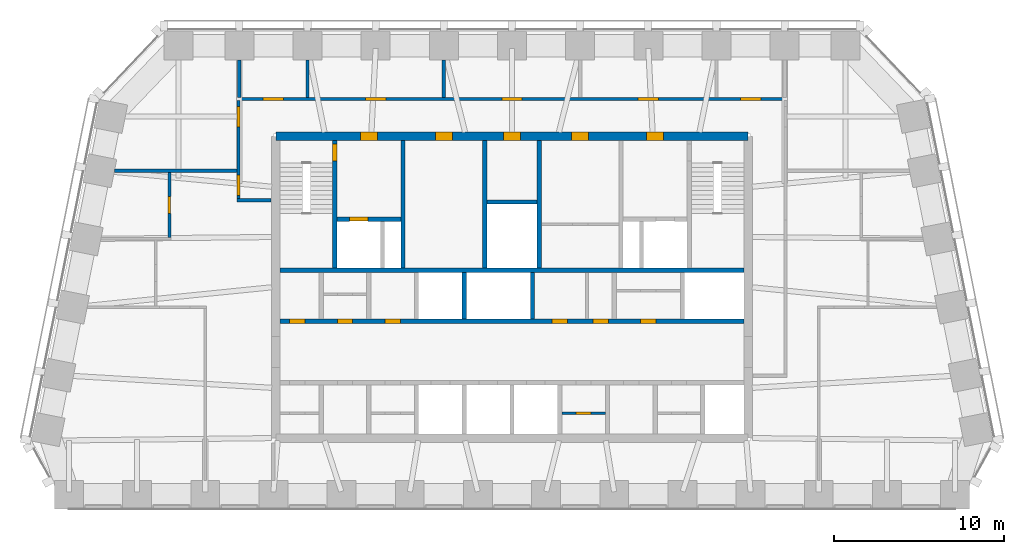
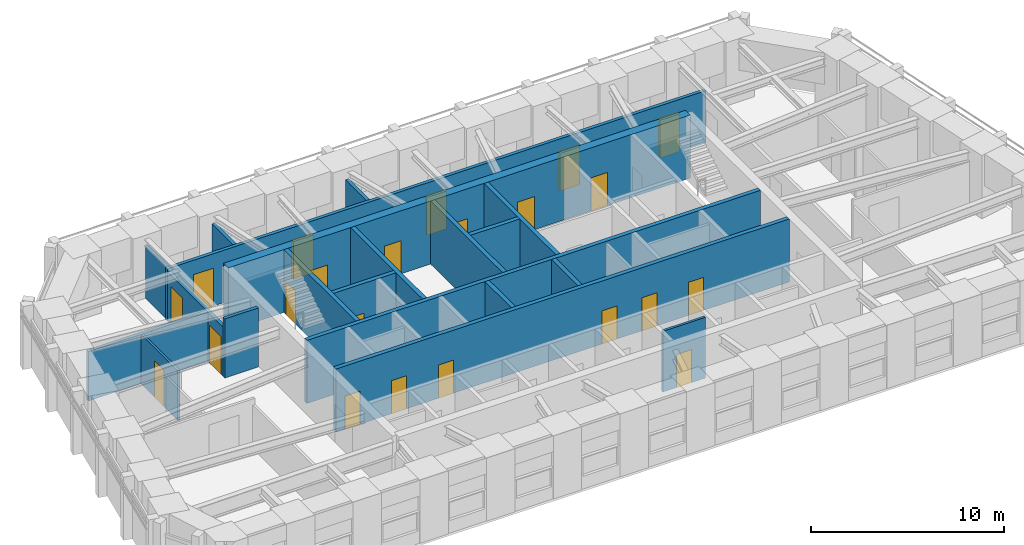
# One storey, part 5 of 8: 22 doors, 20 walls, 22 openings.
"""IFC4 building model written with IfcOpenShell, lengths in metres."""

from ifc_helpers import new_model, si_unit, direction, frame, frame_2d, origin, place, context, subcontext, project, spatial, rectangle, extrude, material, layer, layer_set, type_object, element, fill, save


model = new_model("IFC4")

# Units and contexts
model_context = context("Model", 3, precision=1e-05, world=origin(), true_north=direction((0.0, 1.0)))
body_context = subcontext(model_context, "Body", "Model", "MODEL_VIEW")
ifc_project = project(units=[si_unit("LENGTHUNIT", "METRE"), si_unit("AREAUNIT", "SQUARE_METRE"), si_unit("VOLUMEUNIT", "CUBIC_METRE"), si_unit("PLANEANGLEUNIT", "RADIAN"), si_unit("MASSUNIT", "GRAM", prefix="KILO")], contexts=[model_context])

# Site, building, storey
site_placement = place(None, origin())
site = spatial("IfcSite", under=ifc_project, at=site_placement, CompositionType="ELEMENT")
building_placement = place(site_placement, origin())
building = spatial("IfcBuilding", under=site, at=building_placement, Name="Isbrekke Arena Tower", CompositionType="ELEMENT")
storey_placement = place(building_placement, frame((0.0, 0.0, 320.0)))
storey = spatial("IfcBuildingStorey", under=building, at=storey_placement, Name="L75", CompositionType="ELEMENT", Elevation=320.0)

# Wall, openings, doors
ifc_material_1 = material(Name="Concrete B55 (C55/67)", Category="concrete")
ifc_layer_1 = layer(ifc_material_1, 0.5)
ifc_layer_set_1 = layer_set([ifc_layer_1], Name="CW5 CORE WALL 500")
wall_type_1 = type_object("IfcWallType", Name="CW5 CORE WALL 500", PredefinedType="SHEAR", material=ifc_layer_set_1)
wall_1_placement = place(storey_placement, frame((13.85009765625, 23.85009765625, 0.0), z_axis=(0.0, 0.0, 1.0), x_axis=(-1.0, 0.0, 0.0)))
wall_1 = element("IfcWall", 1, at=wall_1_placement, inside=storey, type_object=wall_type_1, Name="Core wall N L75", PredefinedType="SHEAR", context=body_context, shape_type="SweptSolid", body=[
    extrude(rectangle(XDim=27.7001953125, YDim=0.5, at=frame_2d((13.85009765625, 0.0))), origin(), (0.0, 0.0, 1.0), 4.0),
])
opening_1_placement = place(wall_1_placement, frame((21.75, 0.0, 0.0)))
opening_1 = element("IfcOpeningElement", 2, at=opening_1_placement, cuts=wall_1, Name="Opening D3", PredefinedType="OPENING", context=body_context, shape_type="SweptSolid", body=[
    extrude(rectangle(XDim=1.0, YDim=2.10009765625, at=frame_2d((0.5, 1.050048828125))), frame((0.0, 0.264892578125, 0.0), z_axis=(0.0, -1.0, 0.0), x_axis=(1.0, 0.0, 0.0)), (0.0, 0.0, 1.0), 0.52978515625),
])
opening_2_placement = place(wall_1_placement, frame((4.949951171875, 0.0, 0.0)))
opening_2 = element("IfcOpeningElement", 3, at=opening_2_placement, cuts=wall_1, Name="Opening D3", PredefinedType="OPENING", context=body_context, shape_type="SweptSolid", body=[
    extrude(rectangle(XDim=1.0, YDim=2.10009765625, at=frame_2d((0.5, 1.050048828125))), frame((0.0, 0.264892578125, 0.0), z_axis=(0.0, -1.0, 0.0), x_axis=(1.0, 0.0, 0.0)), (0.0, 0.0, 1.0), 0.52978515625),
])
opening_3_placement = place(wall_1_placement, frame((17.35009765625, 0.0, 0.0)))
opening_3 = element("IfcOpeningElement", 4, at=opening_3_placement, cuts=wall_1, Name="Opening D4", PredefinedType="OPENING", context=body_context, shape_type="SweptSolid", body=[
    extrude(rectangle(XDim=1.0, YDim=2.10009765625, at=frame_2d((0.5, 1.050048828125))), frame((0.0, 0.264892578125, 0.0), z_axis=(0.0, -1.0, 0.0), x_axis=(1.0, 0.0, 0.0)), (0.0, 0.0, 1.0), 0.52978515625),
])
opening_4_placement = place(wall_1_placement, frame((13.35009765625, 0.0, 0.0)))
opening_4 = element("IfcOpeningElement", 5, at=opening_4_placement, cuts=wall_1, Name="Opening D4", PredefinedType="OPENING", context=body_context, shape_type="SweptSolid", body=[
    extrude(rectangle(XDim=1.0, YDim=2.10009765625, at=frame_2d((0.5, 1.050048828125))), frame((0.0, 0.264892578125, 0.0), z_axis=(0.0, -1.0, 0.0), x_axis=(1.0, 0.0, 0.0)), (0.0, 0.0, 1.0), 0.52978515625),
])
opening_5_placement = place(wall_1_placement, frame((9.35009765625, 0.0, 0.0)))
opening_5 = element("IfcOpeningElement", 6, at=opening_5_placement, cuts=wall_1, Name="Opening D4", PredefinedType="OPENING", context=body_context, shape_type="SweptSolid", body=[
    extrude(rectangle(XDim=1.0, YDim=2.10009765625, at=frame_2d((0.5, 1.050048828125))), frame((0.0, 0.264892578125, 0.0), z_axis=(0.0, -1.0, 0.0), x_axis=(1.0, 0.0, 0.0)), (0.0, 0.0, 1.0), 0.52978515625),
])
ifc_material_2 = material(Name="Steel fire door", Category="steel")
door_type_1 = type_object("IfcDoorType", Name="D3 FIRE LOBBY DOOR 1000 x 2100", OperationType="SINGLE_SWING_RIGHT", PredefinedType="DOOR", material=ifc_material_2)
door_1_placement = place(opening_1_placement, origin())
door_1 = element("IfcDoor", 7, at=door_1_placement, inside=storey, type_object=door_type_1, Name="D3 fire-fighting lobby door L75", OperationType="SINGLE_SWING_RIGHT", OverallHeight=2.10009765625, OverallWidth=1.0, PredefinedType="DOOR", context=body_context, shape_type="SweptSolid", body=[
    extrude(rectangle(XDim=1.0, YDim=2.10009765625, at=frame_2d((0.5, 1.050048828125))), frame((0.0, 0.249755859375, 0.0), z_axis=(0.0, -1.0, 0.0), x_axis=(1.0, 0.0, 0.0)), (0.0, 0.0, 1.0), 0.49951171875),
])
fill(opening_1, door_1)
door_2_placement = place(opening_2_placement, origin())
door_2 = element("IfcDoor", 8, at=door_2_placement, inside=storey, type_object=door_type_1, Name="D3 fire-fighting lobby door L75", OperationType="SINGLE_SWING_RIGHT", OverallHeight=2.10009765625, OverallWidth=1.0, PredefinedType="DOOR", context=body_context, shape_type="SweptSolid", body=[
    extrude(rectangle(XDim=1.0, YDim=2.10009765625, at=frame_2d((0.5, 1.050048828125))), frame((0.0, 0.249755859375, 0.0), z_axis=(0.0, -1.0, 0.0), x_axis=(1.0, 0.0, 0.0)), (0.0, 0.0, 1.0), 0.49951171875),
])
fill(opening_2, door_2)
ifc_material_3 = material(Name="Timber door", Category="wood")
door_type_2 = type_object("IfcDoorType", Name="D4 WC DOOR 1000 x 2100", OperationType="SINGLE_SWING_LEFT", PredefinedType="DOOR", material=ifc_material_3)
door_3_placement = place(opening_3_placement, origin())
door_3 = element("IfcDoor", 9, at=door_3_placement, inside=storey, type_object=door_type_2, Name="D4 wc female door L75", OperationType="SINGLE_SWING_LEFT", OverallHeight=2.10009765625, OverallWidth=1.0, PredefinedType="DOOR", context=body_context, shape_type="SweptSolid", body=[
    extrude(rectangle(XDim=1.0, YDim=2.10009765625, at=frame_2d((0.5, 1.050048828125))), frame((0.0, 0.249755859375, 0.0), z_axis=(0.0, -1.0, 0.0), x_axis=(1.0, 0.0, 0.0)), (0.0, 0.0, 1.0), 0.49951171875),
])
fill(opening_3, door_3)
door_4_placement = place(opening_4_placement, origin())
door_4 = element("IfcDoor", 10, at=door_4_placement, inside=storey, type_object=door_type_2, Name="D4 accessible wc door L75", OperationType="SINGLE_SWING_LEFT", OverallHeight=2.10009765625, OverallWidth=1.0, PredefinedType="DOOR", context=body_context, shape_type="SweptSolid", body=[
    extrude(rectangle(XDim=1.0, YDim=2.10009765625, at=frame_2d((0.5, 1.050048828125))), frame((0.0, 0.249755859375, 0.0), z_axis=(0.0, -1.0, 0.0), x_axis=(1.0, 0.0, 0.0)), (0.0, 0.0, 1.0), 0.49951171875),
])
fill(opening_4, door_4)
door_5_placement = place(opening_5_placement, origin())
door_5 = element("IfcDoor", 11, at=door_5_placement, inside=storey, type_object=door_type_2, Name="D4 wc male door L75", OperationType="SINGLE_SWING_LEFT", OverallHeight=2.10009765625, OverallWidth=1.0, PredefinedType="DOOR", context=body_context, shape_type="SweptSolid", body=[
    extrude(rectangle(XDim=1.0, YDim=2.10009765625, at=frame_2d((0.5, 1.050048828125))), frame((0.0, 0.249755859375, 0.0), z_axis=(0.0, -1.0, 0.0), x_axis=(1.0, 0.0, 0.0)), (0.0, 0.0, 1.0), 0.49951171875),
])
fill(opening_5, door_5)

ifc_material_4 = material(Name="Concrete B45 (C45/55)", Category="concrete")
ifc_layer_2 = layer(ifc_material_4, 0.25)
ifc_layer_set_2 = layer_set([ifc_layer_2], Name="CW6 SHAFT WALL 250")
wall_type_2 = type_object("IfcWallType", Name="CW6 SHAFT WALL 250", PredefinedType="SHEAR", material=ifc_layer_set_2)
wall_2_placement = place(storey_placement, frame((-13.60009765625, 13.0, 0.0), z_axis=(0.0, 0.0, 1.0), x_axis=(1.0, 0.0, 0.0)))
wall_2 = element("IfcWall", 12, at=wall_2_placement, inside=storey, type_object=wall_type_2, Name="Core wall LN L75", PredefinedType="SHEAR", context=body_context, shape_type="SweptSolid", body=[
    extrude(rectangle(XDim=27.2001953125, YDim=0.25, at=frame_2d((13.60009765625, 0.0))), origin(), (0.0, 0.0, 1.0), 4.0),
])
opening_6_placement = place(wall_2_placement, frame((15.949951171875, 0.0, 0.0)))
opening_6 = element("IfcOpeningElement", 13, at=opening_6_placement, cuts=wall_2, Name="Opening D5", PredefinedType="OPENING", context=body_context, shape_type="SweptSolid", body=[
    extrude(rectangle(XDim=0.89990234375, YDim=2.10009765625, at=frame_2d((0.449951171875, 1.050048828125))), frame((0.0, 0.139892578125, 0.0), z_axis=(0.0, -1.0, 0.0), x_axis=(1.0, 0.0, 0.0)), (0.0, 0.0, 1.0), 0.27978515625),
])
opening_7_placement = place(wall_2_placement, frame((18.35009765625, 0.0, 0.0)))
opening_7 = element("IfcOpeningElement", 14, at=opening_7_placement, cuts=wall_2, Name="Opening D5", PredefinedType="OPENING", context=body_context, shape_type="SweptSolid", body=[
    extrude(rectangle(XDim=0.89990234375, YDim=2.10009765625, at=frame_2d((0.449951171875, 1.050048828125))), frame((0.0, 0.139892578125, 0.0), z_axis=(0.0, -1.0, 0.0), x_axis=(1.0, 0.0, 0.0)), (0.0, 0.0, 1.0), 0.27978515625),
])
opening_8_placement = place(wall_2_placement, frame((21.14990234375, 0.0, 0.0)))
opening_8 = element("IfcOpeningElement", 15, at=opening_8_placement, cuts=wall_2, Name="Opening D5", PredefinedType="OPENING", context=body_context, shape_type="SweptSolid", body=[
    extrude(rectangle(XDim=0.89990234375, YDim=2.10009765625, at=frame_2d((0.449951171875, 1.050048828125))), frame((0.0, 0.139892578125, 0.0), z_axis=(0.0, -1.0, 0.0), x_axis=(1.0, 0.0, 0.0)), (0.0, 0.0, 1.0), 0.27978515625),
])
opening_9_placement = place(wall_2_placement, frame((0.550048828125, 0.0, 0.0)))
opening_9 = element("IfcOpeningElement", 16, at=opening_9_placement, cuts=wall_2, Name="Opening D5", PredefinedType="OPENING", context=body_context, shape_type="SweptSolid", body=[
    extrude(rectangle(XDim=0.89990234375, YDim=2.10009765625, at=frame_2d((0.449951171875, 1.050048828125))), frame((0.0, 0.139892578125, 0.0), z_axis=(0.0, -1.0, 0.0), x_axis=(1.0, 0.0, 0.0)), (0.0, 0.0, 1.0), 0.27978515625),
])
opening_10_placement = place(wall_2_placement, frame((3.35009765625, 0.0, 0.0)))
opening_10 = element("IfcOpeningElement", 17, at=opening_10_placement, cuts=wall_2, Name="Opening D5", PredefinedType="OPENING", context=body_context, shape_type="SweptSolid", body=[
    extrude(rectangle(XDim=0.89990234375, YDim=2.10009765625, at=frame_2d((0.449951171875, 1.050048828125))), frame((0.0, 0.139892578125, 0.0), z_axis=(0.0, -1.0, 0.0), x_axis=(1.0, 0.0, 0.0)), (0.0, 0.0, 1.0), 0.27978515625),
])
opening_11_placement = place(wall_2_placement, frame((6.14990234375, 0.0, 0.0)))
opening_11 = element("IfcOpeningElement", 18, at=opening_11_placement, cuts=wall_2, Name="Opening D5", PredefinedType="OPENING", context=body_context, shape_type="SweptSolid", body=[
    extrude(rectangle(XDim=0.89990234375, YDim=2.10009765625, at=frame_2d((0.449951171875, 1.050048828125))), frame((0.0, 0.139892578125, 0.0), z_axis=(0.0, -1.0, 0.0), x_axis=(1.0, 0.0, 0.0)), (0.0, 0.0, 1.0), 0.27978515625),
])
ifc_material_5 = material(Name="Steel fire door", Category="steel")
door_type_3 = type_object("IfcDoorType", Name="D5 SERVICE DOOR 900 x 2100", OperationType="SINGLE_SWING_LEFT", PredefinedType="DOOR", material=ifc_material_5)
door_6_placement = place(opening_6_placement, origin())
door_6 = element("IfcDoor", 19, at=door_6_placement, inside=storey, type_object=door_type_3, Name="D5 first-aid room door L75", OperationType="SINGLE_SWING_LEFT", OverallHeight=2.10009765625, OverallWidth=0.89990234375, PredefinedType="DOOR", context=body_context, shape_type="SweptSolid", body=[
    extrude(rectangle(XDim=0.89990234375, YDim=2.10009765625, at=frame_2d((0.449951171875, 1.050048828125))), frame((0.0, 0.124755859375, 0.0), z_axis=(0.0, -1.0, 0.0), x_axis=(1.0, 0.0, 0.0)), (0.0, 0.0, 1.0), 0.24951171875),
])
fill(opening_6, door_6)
door_7_placement = place(opening_7_placement, origin())
door_7 = element("IfcDoor", 20, at=door_7_placement, inside=storey, type_object=door_type_3, Name="D5 cleaner's store door L75", OperationType="SINGLE_SWING_LEFT", OverallHeight=2.10009765625, OverallWidth=0.89990234375, PredefinedType="DOOR", context=body_context, shape_type="SweptSolid", body=[
    extrude(rectangle(XDim=0.89990234375, YDim=2.10009765625, at=frame_2d((0.449951171875, 1.050048828125))), frame((0.0, 0.124755859375, 0.0), z_axis=(0.0, -1.0, 0.0), x_axis=(1.0, 0.0, 0.0)), (0.0, 0.0, 1.0), 0.24951171875),
])
fill(opening_7, door_7)
door_8_placement = place(opening_8_placement, origin())
door_8 = element("IfcDoor", 21, at=door_8_placement, inside=storey, type_object=door_type_3, Name="D5 communications room door L75", OperationType="SINGLE_SWING_LEFT", OverallHeight=2.10009765625, OverallWidth=0.89990234375, PredefinedType="DOOR", context=body_context, shape_type="SweptSolid", body=[
    extrude(rectangle(XDim=0.89990234375, YDim=2.10009765625, at=frame_2d((0.449951171875, 1.050048828125))), frame((0.0, 0.124755859375, 0.0), z_axis=(0.0, -1.0, 0.0), x_axis=(1.0, 0.0, 0.0)), (0.0, 0.0, 1.0), 0.24951171875),
])
fill(opening_8, door_8)
door_9_placement = place(opening_9_placement, origin())
door_9 = element("IfcDoor", 22, at=door_9_placement, inside=storey, type_object=door_type_3, Name="D5 archive door L75", OperationType="SINGLE_SWING_LEFT", OverallHeight=2.10009765625, OverallWidth=0.89990234375, PredefinedType="DOOR", context=body_context, shape_type="SweptSolid", body=[
    extrude(rectangle(XDim=0.89990234375, YDim=2.10009765625, at=frame_2d((0.449951171875, 1.050048828125))), frame((0.0, 0.124755859375, 0.0), z_axis=(0.0, -1.0, 0.0), x_axis=(1.0, 0.0, 0.0)), (0.0, 0.0, 1.0), 0.24951171875),
])
fill(opening_9, door_9)
door_10_placement = place(opening_10_placement, origin())
door_10 = element("IfcDoor", 23, at=door_10_placement, inside=storey, type_object=door_type_3, Name="D5 print room door L75", OperationType="SINGLE_SWING_LEFT", OverallHeight=2.10009765625, OverallWidth=0.89990234375, PredefinedType="DOOR", context=body_context, shape_type="SweptSolid", body=[
    extrude(rectangle(XDim=0.89990234375, YDim=2.10009765625, at=frame_2d((0.449951171875, 1.050048828125))), frame((0.0, 0.124755859375, 0.0), z_axis=(0.0, -1.0, 0.0), x_axis=(1.0, 0.0, 0.0)), (0.0, 0.0, 1.0), 0.24951171875),
])
fill(opening_10, door_10)
door_11_placement = place(opening_11_placement, origin())
door_11 = element("IfcDoor", 24, at=door_11_placement, inside=storey, type_object=door_type_3, Name="D5 technical room door L75", OperationType="SINGLE_SWING_LEFT", OverallHeight=2.10009765625, OverallWidth=0.89990234375, PredefinedType="DOOR", context=body_context, shape_type="SweptSolid", body=[
    extrude(rectangle(XDim=0.89990234375, YDim=2.10009765625, at=frame_2d((0.449951171875, 1.050048828125))), frame((0.0, 0.124755859375, 0.0), z_axis=(0.0, -1.0, 0.0), x_axis=(1.0, 0.0, 0.0)), (0.0, 0.0, 1.0), 0.24951171875),
])
fill(opening_11, door_11)

# Walls
wall_3_placement = place(storey_placement, frame((-13.60009765625, 16.0, 0.0), z_axis=(0.0, 0.0, 1.0), x_axis=(1.0, 0.0, 0.0)))
element("IfcWall", 25, at=wall_3_placement, inside=storey, type_object=wall_type_2, Name="Core wall NB L75", PredefinedType="SHEAR", context=body_context, shape_type="SweptSolid", body=[
    extrude(rectangle(XDim=27.2001953125, YDim=0.25, at=frame_2d((13.60009765625, 0.0))), origin(), (0.0, 0.0, 1.0), 4.0),
])
for number, where, z_axis, x_axis, name in (
    (26, (-2.800048828125, 13.125, 0.0), (0.0, 0.0, 1.0), (0.0, 1.0, 0.0), "Core wall SN04 L75"),
    (27, (1.199951171875, 13.125, 0.0), (0.0, 0.0, 1.0), (0.0, 1.0, 0.0), "Core wall SN05 L75"),
):
    element("IfcWall", number, at=place(storey_placement, frame(where, z_axis=z_axis, x_axis=x_axis)), inside=storey, type_object=wall_type_2, Name=name, PredefinedType="SHEAR", context=body_context, shape_type="SweptSolid", body=[
        extrude(rectangle(XDim=2.75, YDim=0.25, at=frame_2d((1.375, 0.0))), origin(), (0.0, 0.0, 1.0), 4.0),
    ])

# Wall, opening, door
wall_4_placement = place(storey_placement, frame((-10.39990234375, 16.125, 0.0), z_axis=(0.0, 0.0, 1.0), x_axis=(0.0, 1.0, 0.0)))
wall_4 = element("IfcWall", 28, at=wall_4_placement, inside=storey, type_object=wall_type_2, Name="Core wall NV01 L75", PredefinedType="SHEAR", context=body_context, shape_type="SweptSolid", body=[
    extrude(rectangle(XDim=7.47509765625, YDim=0.25, at=frame_2d((3.737548828125, 0.0))), origin(), (0.0, 0.0, 1.0), 4.0),
])
opening_12_placement = place(wall_4_placement, frame((6.27490234375, 0.0, 0.0)))
opening_12 = element("IfcOpeningElement", 29, at=opening_12_placement, cuts=wall_4, Name="Opening D2", PredefinedType="OPENING", context=body_context, shape_type="SweptSolid", body=[
    extrude(rectangle(XDim=1.0, YDim=2.10009765625, at=frame_2d((0.5, 1.050048828125))), frame((0.0, 0.139892578125, 0.0), z_axis=(0.0, -1.0, 0.0), x_axis=(1.0, 0.0, 0.0)), (0.0, 0.0, 1.0), 0.27978515625),
])
ifc_material_6 = material(Name="Steel fire door", Category="steel")
door_type_4 = type_object("IfcDoorType", Name="D2 STAIR DOOR 1000 x 2100", OperationType="SINGLE_SWING_LEFT", PredefinedType="DOOR", material=ifc_material_6)
door_12_placement = place(opening_12_placement, origin())
door_12 = element("IfcDoor", 30, at=door_12_placement, inside=storey, type_object=door_type_4, Name="D2 stair door ST1 L75", OperationType="SINGLE_SWING_LEFT", OverallHeight=2.10009765625, OverallWidth=1.0, PredefinedType="DOOR", context=body_context, shape_type="SweptSolid", body=[
    extrude(rectangle(XDim=1.0, YDim=2.10009765625, at=frame_2d((0.5, 1.050048828125))), frame((0.0, 0.124755859375, 0.0), z_axis=(0.0, -1.0, 0.0), x_axis=(1.0, 0.0, 0.0)), (0.0, 0.0, 1.0), 0.24951171875),
])
fill(opening_12, door_12)

# Walls
for number, where, z_axis, x_axis, name in (
    (31, (-6.39990234375, 16.125, 0.0), (0.0, 0.0, 1.0), (0.0, 1.0, 0.0), "Core wall NV02 L75"),
    (32, (-1.60009765625, 16.125, 0.0), (0.0, 0.0, 1.0), (0.0, 1.0, 0.0), "Core wall NV03 L75"),
    (33, (1.60009765625, 16.125, 0.0), (0.0, 0.0, 1.0), (0.0, 1.0, 0.0), "Core wall NV04 L75"),
):
    element("IfcWall", number, at=place(storey_placement, frame(where, z_axis=z_axis, x_axis=x_axis)), inside=storey, type_object=wall_type_2, Name=name, PredefinedType="SHEAR", context=body_context, shape_type="SweptSolid", body=[
        extrude(rectangle(XDim=7.47509765625, YDim=0.25, at=frame_2d((3.737548828125, 0.0))), origin(), (0.0, 0.0, 1.0), 4.0),
    ])

# Wall, opening, door
wall_5_placement = place(storey_placement, frame((-10.27490234375, 19.0, 0.0), z_axis=(0.0, 0.0, 1.0), x_axis=(1.0, 0.0, 0.0)))
wall_5 = element("IfcWall", 34, at=wall_5_placement, inside=storey, type_object=wall_type_2, Name="Core wall NFW L75", PredefinedType="SHEAR", context=body_context, shape_type="SweptSolid", body=[
    extrude(rectangle(XDim=3.75, YDim=0.25, at=frame_2d((1.875, 0.0))), origin(), (0.0, 0.0, 1.0), 4.0),
])
opening_13_placement = place(wall_5_placement, frame((0.72509765625, 0.0, 0.0)))
opening_13 = element("IfcOpeningElement", 35, at=opening_13_placement, cuts=wall_5, Name="Opening LD2", PredefinedType="OPENING", context=body_context, shape_type="SweptSolid", body=[
    extrude(rectangle(XDim=1.10009765625, YDim=2.10009765625, at=frame_2d((0.550048828125, 1.050048828125))), frame((0.0, 0.139892578125, 0.0), z_axis=(0.0, -1.0, 0.0), x_axis=(1.0, 0.0, 0.0)), (0.0, 0.0, 1.0), 0.27978515625),
])
ifc_material_7 = material(Name="Stainless steel lift landing door", Category="steel")
door_type_5 = type_object("IfcDoorType", Name="LD2 FIRE-FIGHTING LIFT LANDING DOOR 1100 x 2100", OperationType="SLIDING_TO_RIGHT", PredefinedType="DOOR", material=ifc_material_7)
door_13_placement = place(opening_13_placement, origin())
door_13 = element("IfcDoor", 36, at=door_13_placement, inside=storey, type_object=door_type_5, Name="LD2 lift landing door LF L75", OperationType="SLIDING_TO_RIGHT", OverallHeight=2.10009765625, OverallWidth=1.10009765625, PredefinedType="DOOR", context=body_context, shape_type="SweptSolid", body=[
    extrude(rectangle(XDim=1.10009765625, YDim=2.10009765625, at=frame_2d((0.550048828125, 1.050048828125))), frame((0.0, 0.124755859375, 0.0), z_axis=(0.0, -1.0, 0.0), x_axis=(1.0, 0.0, 0.0)), (0.0, 0.0, 1.0), 0.24951171875),
])
fill(opening_13, door_13)

# Wall
wall_6_placement = place(storey_placement, frame((-1.47509765625, 20.0, 0.0), z_axis=(0.0, 0.0, 1.0), x_axis=(1.0, 0.0, 0.0)))
element("IfcWall", 37, at=wall_6_placement, inside=storey, type_object=wall_type_2, Name="Core wall NWC L75", PredefinedType="SHEAR", context=body_context, shape_type="SweptSolid", body=[
    extrude(rectangle(XDim=2.9501953125, YDim=0.25, at=frame_2d((1.47509765625, 0.0))), origin(), (0.0, 0.0, 1.0), 4.0),
])

# Wall, opening, door
ifc_material_8 = material(Name="Gypsum board partition on steel studs", Category="steel")
ifc_layer_3 = layer(ifc_material_8, 0.14990234375)
ifc_layer_set_3 = layer_set([ifc_layer_3], Name="IW1 PARTITION 150")
wall_type_3 = type_object("IfcWallType", Name="IW1 PARTITION 150", PredefinedType="PARTITIONING", material=ifc_layer_set_3)
wall_7_placement = place(storey_placement, frame((-20.10009765625, 17.9150390625, 0.0), z_axis=(0.0, 0.0, 1.0), x_axis=(0.0, 1.0, 0.0)))
wall_7 = element("IfcWall", 38, at=wall_7_placement, inside=storey, type_object=wall_type_3, Name="IW1 partition 150 L75", PredefinedType="PARTITIONING", context=body_context, shape_type="SweptSolid", body=[
    extrude(rectangle(XDim=3.824951171875, YDim=0.14990234375, at=frame_2d((1.91259765625, 0.0))), origin(), (0.0, 0.0, 1.0), 3.1298828125),
])
opening_14_placement = place(wall_7_placement, frame((1.425048828125, 0.0, 0.0)))
opening_14 = element("IfcOpeningElement", 39, at=opening_14_placement, cuts=wall_7, Name="Opening D10", PredefinedType="OPENING", context=body_context, shape_type="SweptSolid", body=[
    extrude(rectangle(XDim=1.0, YDim=2.300048828125, at=frame_2d((0.5, 1.14990234375))), frame((0.0, 0.08984375, 0.0), z_axis=(0.0, -1.0, 0.0), x_axis=(1.0, 0.0, 0.0)), (0.0, 0.0, 1.0), 0.1796875),
])
ifc_material_9 = material(Name="Timber door", Category="wood")
door_type_6 = type_object("IfcDoorType", Name="D10 OFFICE DOOR 1000 x 2300", OperationType="SINGLE_SWING_LEFT", PredefinedType="DOOR", material=ifc_material_9)
door_14_placement = place(opening_14_placement, origin())
door_14 = element("IfcDoor", 40, at=door_14_placement, inside=storey, type_object=door_type_6, Name="D10 catering kitchen door L75", OperationType="SINGLE_SWING_LEFT", OverallHeight=2.300048828125, OverallWidth=1.0, PredefinedType="DOOR", context=body_context, shape_type="SweptSolid", body=[
    extrude(rectangle(XDim=1.0, YDim=2.300048828125, at=frame_2d((0.5, 1.14990234375))), frame((0.0, 0.07470703125, 0.0), z_axis=(0.0, -1.0, 0.0), x_axis=(1.0, 0.0, 0.0)), (0.0, 0.0, 1.0), 0.1494140625),
])
fill(opening_14, door_14)

# Walls
ifc_material_10 = material(Name="Gypsum board fire-cell wall on steel studs, two layers each side", Category="steel")
ifc_layer_4 = layer(ifc_material_10, 0.199951171875)
ifc_layer_set_4 = layer_set([ifc_layer_4], Name="IW3 FIRE-CELL WALL 200")
wall_type_4 = type_object("IfcWallType", Name="IW3 FIRE-CELL WALL 200", PredefinedType="PARTITIONING", material=ifc_layer_set_4)
wall_8_placement = place(storey_placement, frame((-16.14990234375, 20.10009765625, 0.0), z_axis=(0.0, 0.0, 1.0), x_axis=(1.0, 0.0, 0.0)))
element("IfcWall", 41, at=wall_8_placement, inside=storey, type_object=wall_type_4, Name="IW3 fire-cell wall 200 L75", PredefinedType="PARTITIONING", context=body_context, shape_type="SweptSolid", body=[
    extrude(rectangle(XDim=2.02001953125, YDim=0.199951171875, at=frame_2d((1.010009765625, 0.0))), origin(), (0.0, 0.0, 1.0), 3.75),
])
wall_9_placement = place(storey_placement, frame((-23.32373046875, 21.840087890625, 0.0), z_axis=(0.0, 0.0, 1.0), x_axis=(1.0, 0.0, 0.0)))
element("IfcWall", 42, at=wall_9_placement, inside=storey, type_object=wall_type_4, Name="IW3 fire-cell wall 200 L75", PredefinedType="PARTITIONING", context=body_context, shape_type="SweptSolid", body=[
    extrude(rectangle(XDim=7.173828125, YDim=0.199951171875, at=frame_2d((3.5869140625, 0.0))), origin(), (0.0, 0.0, 1.0), 3.1298828125),
])

# Wall, openings, doors
wall_10_placement = place(storey_placement, frame((-16.14990234375, 26.050048828125, 0.0), z_axis=(0.0, 0.0, 1.0), x_axis=(1.0, 0.0, 0.0)))
wall_10 = element("IfcWall", 43, at=wall_10_placement, inside=storey, type_object=wall_type_4, Name="IW3 fire-cell wall 200 L75", PredefinedType="PARTITIONING", context=body_context, shape_type="SweptSolid", body=[
    extrude(rectangle(XDim=32.2998046875, YDim=0.199951171875, at=frame_2d((16.14990234375, 0.0))), origin(), (0.0, 0.0, 1.0), 3.318115234375),
])
opening_15_placement = place(wall_10_placement, frame((1.550048828125, 0.0, 0.0)))
opening_15 = element("IfcOpeningElement", 44, at=opening_15_placement, cuts=wall_10, Name="Opening D12", PredefinedType="OPENING", context=body_context, shape_type="SweptSolid", body=[
    extrude(rectangle(XDim=1.199951171875, YDim=2.39990234375, at=frame_2d((0.60009765625, 1.199951171875))), frame((0.0, 0.11474609375, 0.0), z_axis=(0.0, -1.0, 0.0), x_axis=(1.0, 0.0, 0.0)), (0.0, 0.0, 1.0), 0.229736328125),
])
opening_16_placement = place(wall_10_placement, frame((7.550048828125, 0.0, 0.0)))
opening_16 = element("IfcOpeningElement", 45, at=opening_16_placement, cuts=wall_10, Name="Opening D12", PredefinedType="OPENING", context=body_context, shape_type="SweptSolid", body=[
    extrude(rectangle(XDim=1.199951171875, YDim=2.39990234375, at=frame_2d((0.60009765625, 1.199951171875))), frame((0.0, 0.11474609375, 0.0), z_axis=(0.0, -1.0, 0.0), x_axis=(1.0, 0.0, 0.0)), (0.0, 0.0, 1.0), 0.229736328125),
])
opening_17_placement = place(wall_10_placement, frame((15.550048828125, 0.0, 0.0)))
opening_17 = element("IfcOpeningElement", 46, at=opening_17_placement, cuts=wall_10, Name="Opening D12", PredefinedType="OPENING", context=body_context, shape_type="SweptSolid", body=[
    extrude(rectangle(XDim=1.199951171875, YDim=2.39990234375, at=frame_2d((0.60009765625, 1.199951171875))), frame((0.0, 0.11474609375, 0.0), z_axis=(0.0, -1.0, 0.0), x_axis=(1.0, 0.0, 0.0)), (0.0, 0.0, 1.0), 0.229736328125),
])
opening_18_placement = place(wall_10_placement, frame((23.550048828125, 0.0, 0.0)))
opening_18 = element("IfcOpeningElement", 47, at=opening_18_placement, cuts=wall_10, Name="Opening D12", PredefinedType="OPENING", context=body_context, shape_type="SweptSolid", body=[
    extrude(rectangle(XDim=1.199951171875, YDim=2.39990234375, at=frame_2d((0.60009765625, 1.199951171875))), frame((0.0, 0.11474609375, 0.0), z_axis=(0.0, -1.0, 0.0), x_axis=(1.0, 0.0, 0.0)), (0.0, 0.0, 1.0), 0.229736328125),
])
opening_19_placement = place(wall_10_placement, frame((29.550048828125, 0.0, 0.0)))
opening_19 = element("IfcOpeningElement", 48, at=opening_19_placement, cuts=wall_10, Name="Opening D12", PredefinedType="OPENING", context=body_context, shape_type="SweptSolid", body=[
    extrude(rectangle(XDim=1.199951171875, YDim=2.39990234375, at=frame_2d((0.60009765625, 1.199951171875))), frame((0.0, 0.11474609375, 0.0), z_axis=(0.0, -1.0, 0.0), x_axis=(1.0, 0.0, 0.0)), (0.0, 0.0, 1.0), 0.229736328125),
])
ifc_material_11 = material(Name="Timber fire door with vision panel", Category="wood")
door_type_7 = type_object("IfcDoorType", Name="D12 SUITE ENTRANCE DOOR 1200 x 2400", OperationType="SINGLE_SWING_LEFT", PredefinedType="DOOR", material=ifc_material_11)
door_15_placement = place(opening_15_placement, origin())
door_15 = element("IfcDoor", 49, at=door_15_placement, inside=storey, type_object=door_type_7, Name="D12 suite entrance NB1 door L75", OperationType="SINGLE_SWING_LEFT", OverallHeight=2.39990234375, OverallWidth=1.199951171875, PredefinedType="DOOR", context=body_context, shape_type="SweptSolid", body=[
    extrude(rectangle(XDim=1.199951171875, YDim=2.39990234375, at=frame_2d((0.60009765625, 1.199951171875))), frame((0.0, 0.099609375, 0.0), z_axis=(0.0, -1.0, 0.0), x_axis=(1.0, 0.0, 0.0)), (0.0, 0.0, 1.0), 0.199462890625),
])
fill(opening_15, door_15)
door_16_placement = place(opening_16_placement, origin())
door_16 = element("IfcDoor", 50, at=door_16_placement, inside=storey, type_object=door_type_7, Name="D12 suite entrance NB2 door L75", OperationType="SINGLE_SWING_LEFT", OverallHeight=2.39990234375, OverallWidth=1.199951171875, PredefinedType="DOOR", context=body_context, shape_type="SweptSolid", body=[
    extrude(rectangle(XDim=1.199951171875, YDim=2.39990234375, at=frame_2d((0.60009765625, 1.199951171875))), frame((0.0, 0.099609375, 0.0), z_axis=(0.0, -1.0, 0.0), x_axis=(1.0, 0.0, 0.0)), (0.0, 0.0, 1.0), 0.199462890625),
])
fill(opening_16, door_16)
door_17_placement = place(opening_17_placement, origin())
door_17 = element("IfcDoor", 51, at=door_17_placement, inside=storey, type_object=door_type_7, Name="D12 suite entrance NB3 door L75", OperationType="SINGLE_SWING_LEFT", OverallHeight=2.39990234375, OverallWidth=1.199951171875, PredefinedType="DOOR", context=body_context, shape_type="SweptSolid", body=[
    extrude(rectangle(XDim=1.199951171875, YDim=2.39990234375, at=frame_2d((0.60009765625, 1.199951171875))), frame((0.0, 0.099609375, 0.0), z_axis=(0.0, -1.0, 0.0), x_axis=(1.0, 0.0, 0.0)), (0.0, 0.0, 1.0), 0.199462890625),
])
fill(opening_17, door_17)
door_18_placement = place(opening_18_placement, origin())
door_18 = element("IfcDoor", 52, at=door_18_placement, inside=storey, type_object=door_type_7, Name="D12 suite entrance NB4 door L75", OperationType="SINGLE_SWING_LEFT", OverallHeight=2.39990234375, OverallWidth=1.199951171875, PredefinedType="DOOR", context=body_context, shape_type="SweptSolid", body=[
    extrude(rectangle(XDim=1.199951171875, YDim=2.39990234375, at=frame_2d((0.60009765625, 1.199951171875))), frame((0.0, 0.099609375, 0.0), z_axis=(0.0, -1.0, 0.0), x_axis=(1.0, 0.0, 0.0)), (0.0, 0.0, 1.0), 0.199462890625),
])
fill(opening_18, door_18)
door_19_placement = place(opening_19_placement, origin())
door_19 = element("IfcDoor", 53, at=door_19_placement, inside=storey, type_object=door_type_7, Name="D12 suite entrance NB5 door L75", OperationType="SINGLE_SWING_LEFT", OverallHeight=2.39990234375, OverallWidth=1.199951171875, PredefinedType="DOOR", context=body_context, shape_type="SweptSolid", body=[
    extrude(rectangle(XDim=1.199951171875, YDim=2.39990234375, at=frame_2d((0.60009765625, 1.199951171875))), frame((0.0, 0.099609375, 0.0), z_axis=(0.0, -1.0, 0.0), x_axis=(1.0, 0.0, 0.0)), (0.0, 0.0, 1.0), 0.199462890625),
])
fill(opening_19, door_19)

wall_11_placement = place(storey_placement, frame((-16.050048828125, 20.199951171875, 0.0), z_axis=(0.0, 0.0, 1.0), x_axis=(0.0, 1.0, 0.0)))
wall_11 = element("IfcWall", 54, at=wall_11_placement, inside=storey, type_object=wall_type_4, Name="IW3 fire-cell wall 200 L75", PredefinedType="PARTITIONING", context=body_context, shape_type="SweptSolid", body=[
    extrude(rectangle(XDim=5.75, YDim=0.199951171875, at=frame_2d((2.875, 0.0))), origin(), (0.0, 0.0, 1.0), 3.1298828125),
])
opening_20_placement = place(wall_11_placement, frame((4.199951171875, 0.0, 0.0)))
opening_20 = element("IfcOpeningElement", 55, at=opening_20_placement, cuts=wall_11, Name="Opening D12", PredefinedType="OPENING", context=body_context, shape_type="SweptSolid", body=[
    extrude(rectangle(XDim=1.199951171875, YDim=2.39990234375, at=frame_2d((0.60009765625, 1.199951171875))), frame((0.0, 0.11474609375, 0.0), z_axis=(0.0, -1.0, 0.0), x_axis=(1.0, 0.0, 0.0)), (0.0, 0.0, 1.0), 0.229736328125),
])
opening_21_placement = place(wall_11_placement, frame((0.199951171875, 0.0, 0.0)))
opening_21 = element("IfcOpeningElement", 56, at=opening_21_placement, cuts=wall_11, Name="Opening D12", PredefinedType="OPENING", context=body_context, shape_type="SweptSolid", body=[
    extrude(rectangle(XDim=1.199951171875, YDim=2.39990234375, at=frame_2d((0.60009765625, 1.199951171875))), frame((0.0, 0.11474609375, 0.0), z_axis=(0.0, -1.0, 0.0), x_axis=(1.0, 0.0, 0.0)), (0.0, 0.0, 1.0), 0.229736328125),
])
door_20_placement = place(opening_20_placement, origin())
door_20 = element("IfcDoor", 57, at=door_20_placement, inside=storey, type_object=door_type_7, Name="D12 suite entrance NCW door L75", OperationType="SINGLE_SWING_LEFT", OverallHeight=2.39990234375, OverallWidth=1.199951171875, PredefinedType="DOOR", context=body_context, shape_type="SweptSolid", body=[
    extrude(rectangle(XDim=1.199951171875, YDim=2.39990234375, at=frame_2d((0.60009765625, 1.199951171875))), frame((0.0, 0.099609375, 0.0), z_axis=(0.0, -1.0, 0.0), x_axis=(1.0, 0.0, 0.0)), (0.0, 0.0, 1.0), 0.199462890625),
])
fill(opening_20, door_20)
door_21_placement = place(opening_21_placement, origin())
door_21 = element("IfcDoor", 58, at=door_21_placement, inside=storey, type_object=door_type_7, Name="D12 suite entrance W door L75", OperationType="SINGLE_SWING_LEFT", OverallHeight=2.39990234375, OverallWidth=1.199951171875, PredefinedType="DOOR", context=body_context, shape_type="SweptSolid", body=[
    extrude(rectangle(XDim=1.199951171875, YDim=2.39990234375, at=frame_2d((0.60009765625, 1.199951171875))), frame((0.0, 0.099609375, 0.0), z_axis=(0.0, -1.0, 0.0), x_axis=(1.0, 0.0, 0.0)), (0.0, 0.0, 1.0), 0.199462890625),
])
fill(opening_21, door_21)

# Walls
for number, where, z_axis, x_axis, name in (
    (59, (-16.0, 26.14990234375, 0.0), (0.0, 0.0, 1.0), (0.0, 1.0, 0.0), "IW3 fire-cell wall 200 L75"),
    (60, (-12.0, 26.14990234375, 0.0), (0.0, 0.0, 1.0), (0.0, 1.0, 0.0), "IW3 fire-cell wall 200 L75"),
    (61, (-4.0, 26.14990234375, 0.0), (0.0, 0.0, 1.0), (0.0, 1.0, 0.0), "IW3 fire-cell wall 200 L75"),
):
    element("IfcWall", number, at=place(storey_placement, frame(where, z_axis=z_axis, x_axis=x_axis)), inside=storey, type_object=wall_type_4, Name=name, PredefinedType="PARTITIONING", context=body_context, shape_type="SweptSolid", body=[
        extrude(rectangle(XDim=2.175048828125, YDim=0.199951171875, at=frame_2d((1.08740234375, 0.0))), origin(), (0.0, 0.0, 1.0), 3.318115234375),
    ])

# Wall, opening, door
ifc_material_12 = material(Name="Gypsum board fire-rated partition on steel studs, two layers each side", Category="steel")
ifc_layer_5 = layer(ifc_material_12, 0.14990234375)
ifc_layer_set_5 = layer_set([ifc_layer_5], Name="IW5 FIRE-RATED PARTITION 150")
wall_type_5 = type_object("IfcWallType", Name="IW5 FIRE-RATED PARTITION 150", PredefinedType="PARTITIONING", material=ifc_layer_set_5)
wall_12_placement = place(storey_placement, frame((2.925048828125, 7.60009765625, 0.0), z_axis=(0.0, 0.0, 1.0), x_axis=(1.0, 0.0, 0.0)))
wall_12 = element("IfcWall", 62, at=wall_12_placement, inside=storey, type_object=wall_type_5, Name="IW5 fire-rated partition L75 core service rooms 6", PredefinedType="PARTITIONING", context=body_context, shape_type="SweptSolid", body=[
    extrude(rectangle(XDim=2.550048828125, YDim=0.14990234375, at=frame_2d((1.27490234375, 0.0))), origin(), (0.0, 0.0, 1.0), 3.85009765625),
])
opening_22_placement = place(wall_12_placement, frame((0.824951171875, 0.0, 0.0)))
opening_22 = element("IfcOpeningElement", 63, at=opening_22_placement, cuts=wall_12, Name="Opening D5", PredefinedType="OPENING", context=body_context, shape_type="SweptSolid", body=[
    extrude(rectangle(XDim=0.89990234375, YDim=2.10009765625, at=frame_2d((0.449951171875, 1.050048828125))), frame((0.0, 0.08984375, 0.0), z_axis=(0.0, -1.0, 0.0), x_axis=(1.0, 0.0, 0.0)), (0.0, 0.0, 1.0), 0.1796875),
])
door_22_placement = place(opening_22_placement, origin())
door_22 = element("IfcDoor", 64, at=door_22_placement, inside=storey, type_object=door_type_3, Name="D5 archive door L75", OperationType="SINGLE_SWING_LEFT", OverallHeight=2.10009765625, OverallWidth=0.89990234375, PredefinedType="DOOR", context=body_context, shape_type="SweptSolid", body=[
    extrude(rectangle(XDim=0.89990234375, YDim=2.10009765625, at=frame_2d((0.449951171875, 1.050048828125))), frame((0.0, 0.07470703125, 0.0), z_axis=(0.0, -1.0, 0.0), x_axis=(1.0, 0.0, 0.0)), (0.0, 0.0, 1.0), 0.1494140625),
])
fill(opening_22, door_22)

save(model, "model.ifc")
